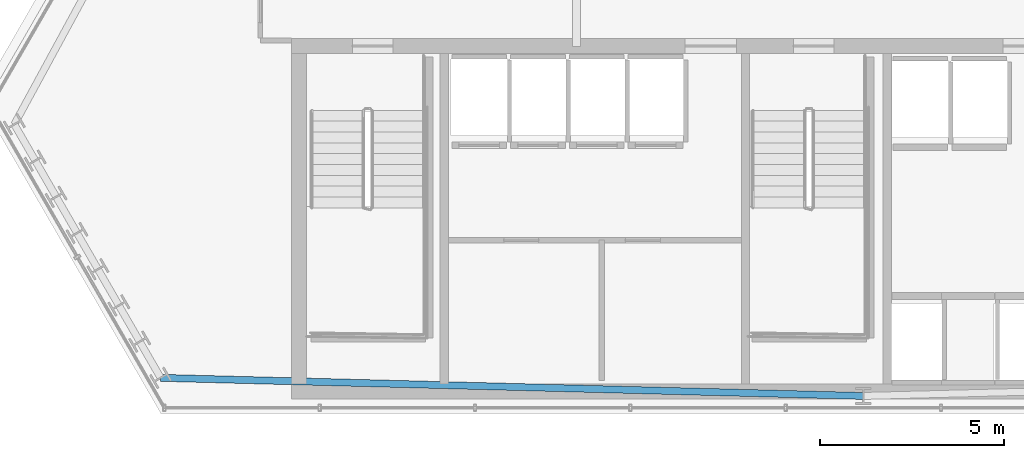
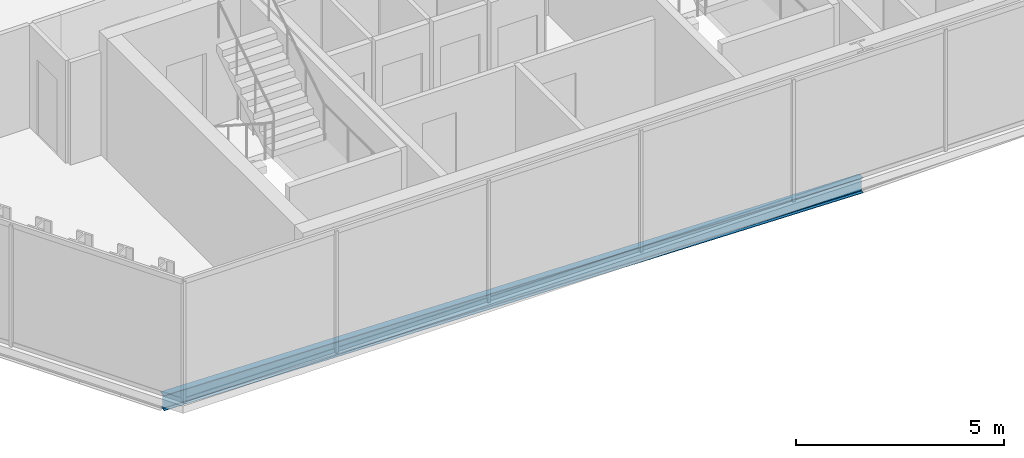
# One storey, part 3 of 33: 1 beam.
"""IFC4 building model written with IfcOpenShell, lengths in metres."""

from ifc_helpers import new_model, si_unit, direction, frame, origin, origin_2d, place, context, subcontext, project, spatial, i_section, extrude, material, material_profile, profile_set, type_object, element, save


model = new_model("IFC4")

# Units and contexts
model_context = context("Model", 3, precision=1e-05, world=origin(), true_north=direction((0.0, 1.0)))
body_context = subcontext(model_context, "Body", "Model", "MODEL_VIEW")
ifc_project = project(units=[si_unit("LENGTHUNIT", "METRE"), si_unit("AREAUNIT", "SQUARE_METRE"), si_unit("VOLUMEUNIT", "CUBIC_METRE"), si_unit("PLANEANGLEUNIT", "RADIAN"), si_unit("MASSUNIT", "GRAM", prefix="KILO")], contexts=[model_context])

# Site, building, storey
site_placement = place(None, origin())
site = spatial("IfcSite", under=ifc_project, at=site_placement, CompositionType="ELEMENT")
building_placement = place(site_placement, origin())
building = spatial("IfcBuilding", under=site, at=building_placement, Name="Ndaravel Arena Tower", CompositionType="ELEMENT")
storey_placement = place(building_placement, frame((0.0, 0.0, 184.0)))
storey = spatial("IfcBuildingStorey", under=building, at=storey_placement, Name="L44", CompositionType="ELEMENT", Elevation=184.0)

# Beam
ifc_material = material(Name="Steel S355", Category="steel")
ifc_material_profile = material_profile(ifc_material, i_section(OverallWidth=0.18994140625, OverallDepth=0.449951171875, WebThickness=0.009521484375, FlangeThickness=0.0146484375, FilletRadius=0.02099609375, at=origin_2d()), Name="IPE 450")
ifc_profile_set = profile_set([ifc_material_profile], Name="Steel S355")
beam_type = type_object("IfcBeamType", Name="BM-SPAN-IPE450", PredefinedType="SPANDREL", material=ifc_profile_set)
beam_placement = place(storey_placement, frame((22.886474609375, 5.972412109375, -0.445068359375), z_axis=(0.999668285715, -0.025754971098, 0.0), x_axis=(0.025754971098, 0.999668285715, 0.0)))
element("IfcBeam", 1, at=beam_placement, inside=storey, type_object=beam_type, Name="L44 Perimeter Spandrel Beam SP-27", PredefinedType="SPANDREL", context=body_context, shape_type="SweptSolid", body=[
    extrude(i_section(OverallWidth=0.18994140625, OverallDepth=0.449951171875, WebThickness=0.009521484375, FlangeThickness=0.0146484375, FilletRadius=0.02099609375, at=origin_2d()), origin(), (0.0, 0.0, 1.0), 19.119873046875),
])

save(model, "model.ifc")
